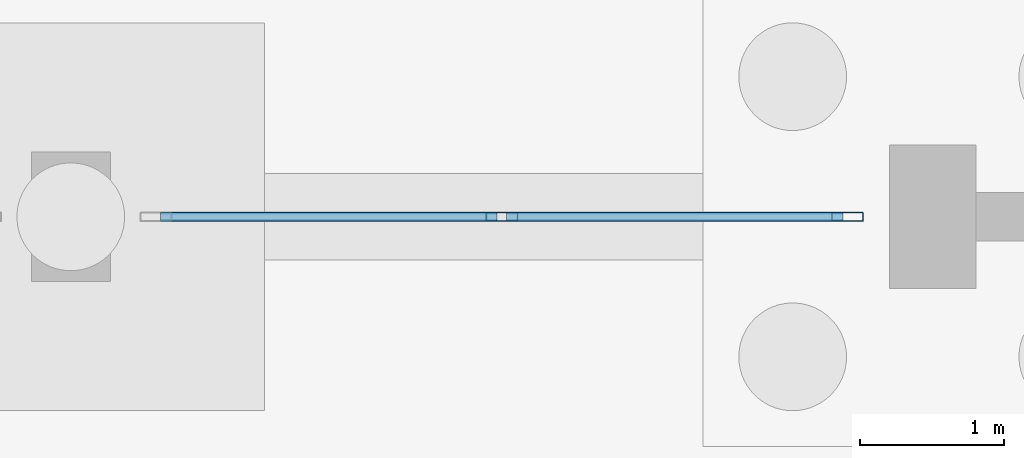
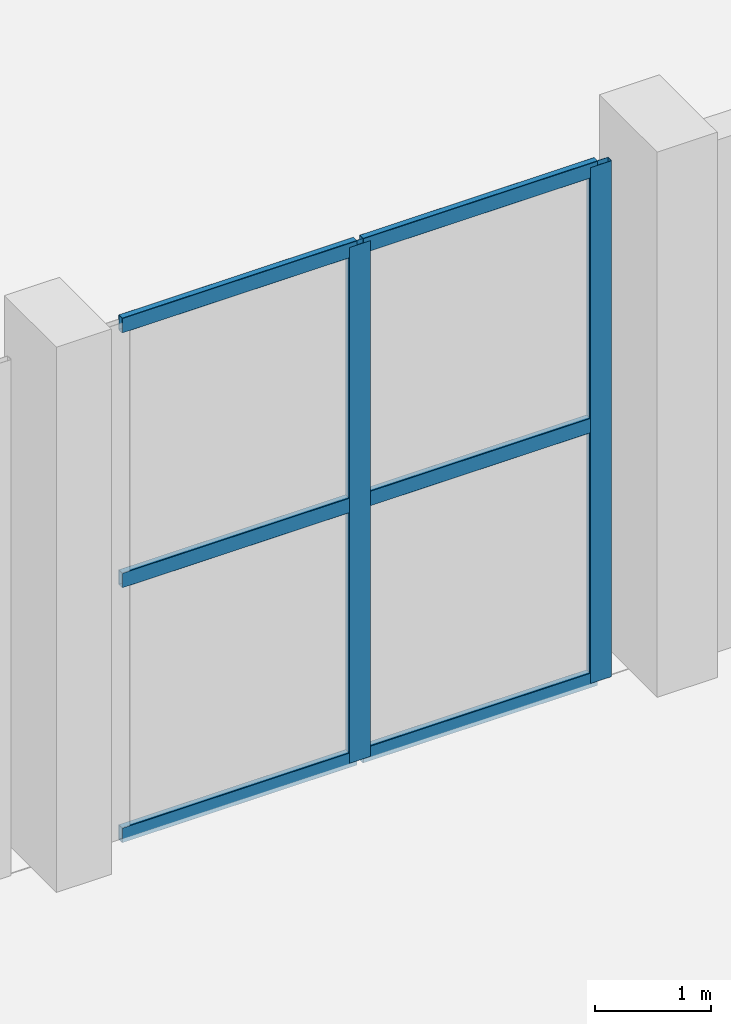
# One storey, part 45 of 103: 8 members, 1 element without a shape of its own.
"""IFC4 building model written with IfcOpenShell, lengths in metres."""

from ifc_helpers import new_model, si_unit, direction, frame, origin, origin_2d, place, context, subcontext, project, spatial, hollow_rectangle, extrude, material, layer, layer_set, material_profile, profile_set, type_object, element, aggregate, save


model = new_model("IFC4")

# Units and contexts
model_context = context("Model", 3, precision=1e-05, world=origin(), true_north=direction((0.0, 1.0)))
body_context = subcontext(model_context, "Body", "Model", "MODEL_VIEW")
ifc_project = project(units=[si_unit("LENGTHUNIT", "METRE"), si_unit("AREAUNIT", "SQUARE_METRE"), si_unit("VOLUMEUNIT", "CUBIC_METRE"), si_unit("PLANEANGLEUNIT", "RADIAN"), si_unit("MASSUNIT", "GRAM", prefix="KILO")], contexts=[model_context])

# Site, building, storey
site_placement = place(None, origin())
site = spatial("IfcSite", under=ifc_project, at=site_placement, CompositionType="ELEMENT")
building_placement = place(site_placement, origin())
building = spatial("IfcBuilding", under=site, at=building_placement, Name="Dunvalen Ferry Terminal", CompositionType="ELEMENT")
storey_placement = place(building_placement, origin())
storey = spatial("IfcBuildingStorey", under=building, at=storey_placement, Name="L00", CompositionType="ELEMENT", Elevation=0.0)

# Curtain wall, members
ifc_material_1 = material(Name="Anodised marine aluminium and solar-control glazing", Category="aluminium")
ifc_layer = layer(ifc_material_1, 0.219970703125, Name="Anodised marine aluminium and solar-control glazing")
ifc_layer_set = layer_set([ifc_layer], Name="Anodised marine aluminium and solar-control glazing")
curtain_wall_type = type_object("IfcCurtainWallType", Name="ENV-CW-SYS-01", PredefinedType="NOTDEFINED", material=ifc_layer_set)
curtain_wall_placement = place(storey_placement, origin())
curtain_wall = element("IfcCurtainWall", 1, at=curtain_wall_placement, inside=storey, type_object=curtain_wall_type, Name="L00 Curtain Wall CW-V1S-L00-04", PredefinedType="NOTDEFINED")
ifc_material_2 = material(Name="Anodised marine aluminium EN AW-6063 T6", Category="aluminium")
ifc_material_profile_1 = material_profile(ifc_material_2, hollow_rectangle(XDim=0.06494140625, YDim=0.219970703125, WallThickness=0.00390625, InnerFilletRadius=0.00390625, OuterFilletRadius=0.008056640625, at=origin_2d()), Name="Anodised marine aluminium EN AW-6063 T6")
ifc_profile_set_1 = profile_set([ifc_material_profile_1], Name="Anodised marine aluminium EN AW-6063 T6")
member_type_1 = type_object("IfcMemberType", Name="ENV-CW-MUL-1", PredefinedType="MULLION", material=ifc_profile_set_1)
member_1_placement = place(storey_placement, frame((57.0, 50.39990234375, 0.0), z_axis=(0.0, 0.0, 1.0), x_axis=(0.0, 1.0, 0.0)))
member_1 = element("IfcMember", 2, at=member_1_placement, type_object=member_type_1, Name="CW-01 mullion 2", PredefinedType="MULLION", context=body_context, shape_type="SweptSolid", body=[
    extrude(hollow_rectangle(XDim=0.06494140625, YDim=0.219970703125, WallThickness=0.00390625, InnerFilletRadius=0.00390625, OuterFilletRadius=0.008056640625, at=origin_2d()), origin(), (0.0, 0.0, 1.0), 5.449951171875),
])
member_2_placement = place(storey_placement, frame((59.407470703125, 50.39990234375, 0.0), z_axis=(0.0, 0.0, 1.0), x_axis=(0.0, 1.0, 0.0)))
member_2 = element("IfcMember", 3, at=member_2_placement, type_object=member_type_1, Name="CW-01 mullion 3", PredefinedType="MULLION", context=body_context, shape_type="SweptSolid", body=[
    extrude(hollow_rectangle(XDim=0.06494140625, YDim=0.219970703125, WallThickness=0.00390625, InnerFilletRadius=0.00390625, OuterFilletRadius=0.008056640625, at=origin_2d()), origin(), (0.0, 0.0, 1.0), 5.449951171875),
])
ifc_material_profile_2 = material_profile(ifc_material_2, hollow_rectangle(XDim=0.06494140625, YDim=0.159912109375, WallThickness=0.00341796875, InnerFilletRadius=0.00341796875, OuterFilletRadius=0.007080078125, at=origin_2d()), Name="Anodised marine aluminium EN AW-6063 T6")
ifc_profile_set_2 = profile_set([ifc_material_profile_2], Name="Anodised marine aluminium EN AW-6063 T6")
member_type_2 = type_object("IfcMemberType", Name="ENV-CW-TRN-1", PredefinedType="USERDEFINED", material=ifc_profile_set_2)
member_3_placement = place(storey_placement, frame((54.625, 50.39990234375, 0.032470703125), z_axis=(1.0, 0.0, 0.0), x_axis=(0.0, 1.0, 0.0)))
member_3 = element("IfcMember", 4, at=member_3_placement, type_object=member_type_2, Name="CW-01 transom 1.1", ObjectType="TRANSOM", PredefinedType="USERDEFINED", context=body_context, shape_type="SweptSolid", body=[
    extrude(hollow_rectangle(XDim=0.06494140625, YDim=0.159912109375, WallThickness=0.00341796875, InnerFilletRadius=0.00341796875, OuterFilletRadius=0.007080078125, at=origin_2d()), origin(), (0.0, 0.0, 1.0), 2.342529296875),
])
member_4_placement = place(storey_placement, frame((54.625, 50.39990234375, 2.72509765625), z_axis=(1.0, 0.0, 0.0), x_axis=(0.0, 1.0, 0.0)))
member_4 = element("IfcMember", 5, at=member_4_placement, type_object=member_type_2, Name="CW-01 transom 1.2", ObjectType="TRANSOM", PredefinedType="USERDEFINED", context=body_context, shape_type="SweptSolid", body=[
    extrude(hollow_rectangle(XDim=0.06494140625, YDim=0.159912109375, WallThickness=0.00341796875, InnerFilletRadius=0.00341796875, OuterFilletRadius=0.007080078125, at=origin_2d()), origin(), (0.0, 0.0, 1.0), 2.342529296875),
])
member_5_placement = place(storey_placement, frame((54.625, 50.39990234375, 5.41748046875), z_axis=(1.0, 0.0, 0.0), x_axis=(0.0, 1.0, 0.0)))
member_5 = element("IfcMember", 6, at=member_5_placement, type_object=member_type_2, Name="CW-01 transom 1.3", ObjectType="TRANSOM", PredefinedType="USERDEFINED", context=body_context, shape_type="SweptSolid", body=[
    extrude(hollow_rectangle(XDim=0.06494140625, YDim=0.159912109375, WallThickness=0.00341796875, InnerFilletRadius=0.00341796875, OuterFilletRadius=0.007080078125, at=origin_2d()), origin(), (0.0, 0.0, 1.0), 2.342529296875),
])
member_6_placement = place(storey_placement, frame((57.032470703125, 50.39990234375, 0.032470703125), z_axis=(1.0, 0.0, 0.0), x_axis=(0.0, 1.0, 0.0)))
member_6 = element("IfcMember", 7, at=member_6_placement, type_object=member_type_2, Name="CW-01 transom 2.1", ObjectType="TRANSOM", PredefinedType="USERDEFINED", context=body_context, shape_type="SweptSolid", body=[
    extrude(hollow_rectangle(XDim=0.06494140625, YDim=0.159912109375, WallThickness=0.00341796875, InnerFilletRadius=0.00341796875, OuterFilletRadius=0.007080078125, at=origin_2d()), origin(), (0.0, 0.0, 1.0), 2.342529296875),
])
member_7_placement = place(storey_placement, frame((57.032470703125, 50.39990234375, 2.72509765625), z_axis=(1.0, 0.0, 0.0), x_axis=(0.0, 1.0, 0.0)))
member_7 = element("IfcMember", 8, at=member_7_placement, type_object=member_type_2, Name="CW-01 transom 2.2", ObjectType="TRANSOM", PredefinedType="USERDEFINED", context=body_context, shape_type="SweptSolid", body=[
    extrude(hollow_rectangle(XDim=0.06494140625, YDim=0.159912109375, WallThickness=0.00341796875, InnerFilletRadius=0.00341796875, OuterFilletRadius=0.007080078125, at=origin_2d()), origin(), (0.0, 0.0, 1.0), 2.342529296875),
])
member_8_placement = place(storey_placement, frame((57.032470703125, 50.39990234375, 5.41748046875), z_axis=(1.0, 0.0, 0.0), x_axis=(0.0, 1.0, 0.0)))
member_8 = element("IfcMember", 9, at=member_8_placement, type_object=member_type_2, Name="CW-01 transom 2.3", ObjectType="TRANSOM", PredefinedType="USERDEFINED", context=body_context, shape_type="SweptSolid", body=[
    extrude(hollow_rectangle(XDim=0.06494140625, YDim=0.159912109375, WallThickness=0.00341796875, InnerFilletRadius=0.00341796875, OuterFilletRadius=0.007080078125, at=origin_2d()), origin(), (0.0, 0.0, 1.0), 2.342529296875),
])
aggregate(curtain_wall, [member_1, member_2, member_3, member_4, member_5, member_6, member_7, member_8])

save(model, "model.ifc")
